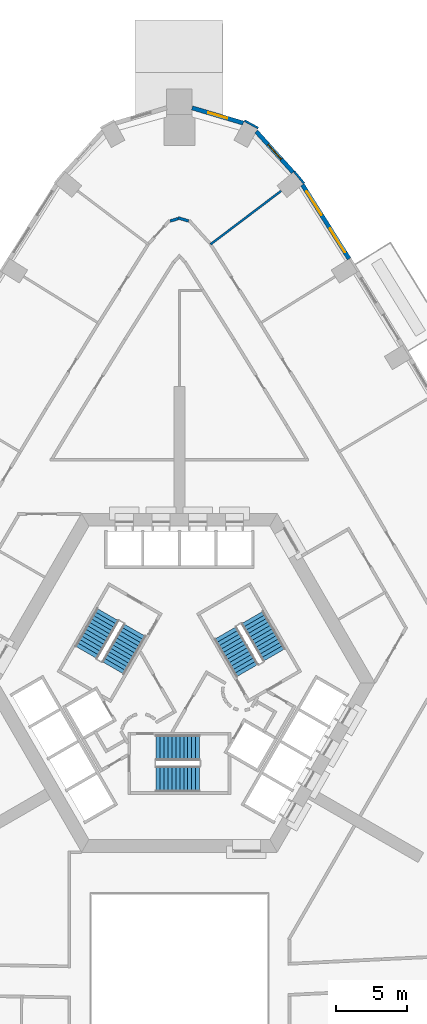
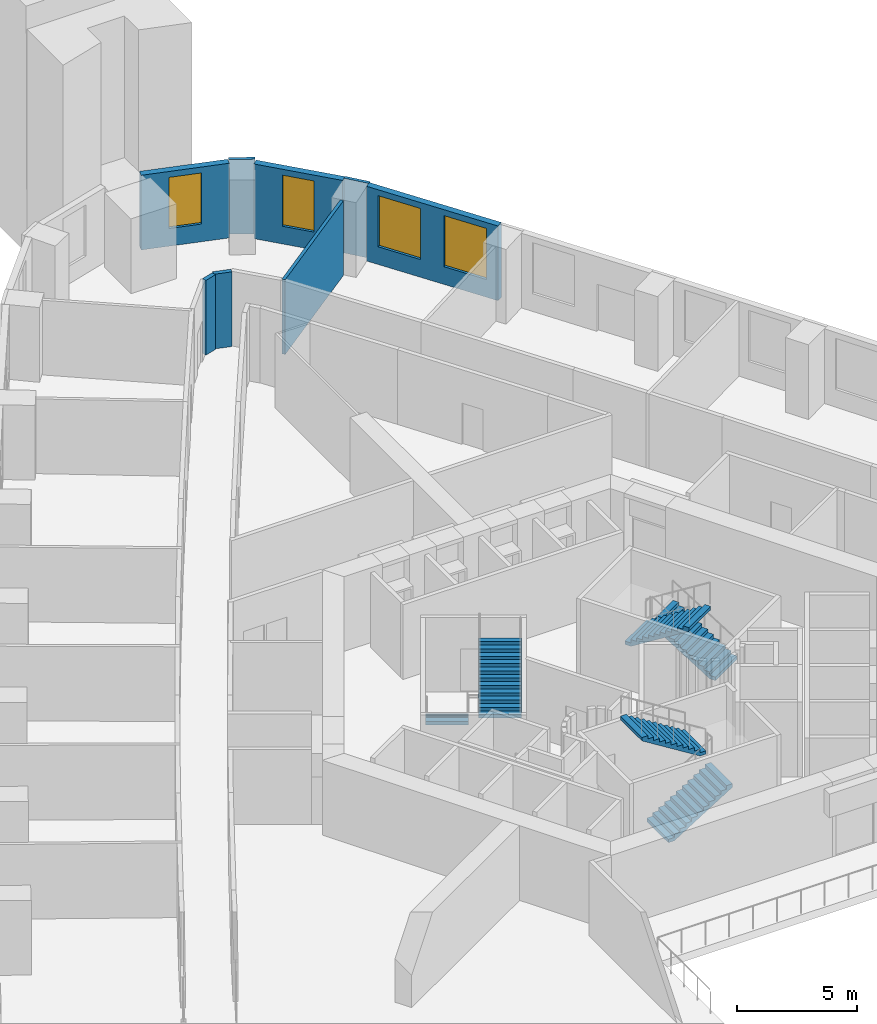
# One storey, part 12 of 15: 8 walls, 6 stair flights, 4 windows, 4 openings, 3 elements without a shape of their own.
"""IFC4 building model written with IfcOpenShell, lengths in metres."""

from ifc_helpers import new_model, si_unit, direction, frame, frame_2d, origin, place, context, subcontext, project, spatial, polyline, rectangle, outline, extrude, material, layer, layer_set, type_object, element, fill, aggregate, save


model = new_model("IFC4")

# Units and contexts
model_context = context("Model", 3, precision=1e-05, world=origin(), true_north=direction((0.0, 1.0)))
body_context = subcontext(model_context, "Body", "Model", "MODEL_VIEW")
ifc_project = project(units=[si_unit("LENGTHUNIT", "METRE"), si_unit("AREAUNIT", "SQUARE_METRE"), si_unit("VOLUMEUNIT", "CUBIC_METRE"), si_unit("PLANEANGLEUNIT", "RADIAN"), si_unit("MASSUNIT", "GRAM", prefix="KILO")], contexts=[model_context])

# Site, building, storey
site_placement = place(None, origin())
site = spatial("IfcSite", under=ifc_project, at=site_placement, CompositionType="ELEMENT")
building_placement = place(site_placement, origin())
building = spatial("IfcBuilding", under=site, at=building_placement, Name="Entoto Arch Interchange Tower", CompositionType="ELEMENT")
storey_placement = place(building_placement, frame((0.0, 0.0, 111.800048828125)))
storey = spatial("IfcBuildingStorey", under=building, at=storey_placement, Name="L24", CompositionType="ELEMENT", Elevation=111.800048828125)

# Walls
ifc_material_1 = material(Name="Gypsum board partition on steel studs", Category="steel")
ifc_layer_1 = layer(ifc_material_1, 0.14990234375)
ifc_layer_set_1 = layer_set([ifc_layer_1], Name="Gypsum board partition on steel studs")
wall_type_1 = type_object("IfcWallType", Name="PARTITION 150", PredefinedType="PARTITIONING", material=ifc_layer_set_1)
wall_1_placement = place(storey_placement, frame((2.2119140625, 33.56494140625, 0.0), z_axis=(0.0, 0.0, 1.0), x_axis=(0.797488074979, 0.603334708322, 0.0)))
element("IfcWall", 1, at=wall_1_placement, inside=storey, type_object=wall_type_1, Name="wall:L24:p125", PredefinedType="PARTITIONING", context=body_context, shape_type="SweptSolid", body=[
    extrude(rectangle(XDim=6.257080078125, YDim=0.14990234375, at=frame_2d((3.12841796875, 0.0))), origin(), (0.0, 0.0, 1.0), 3.800048828125),
])
ifc_layer_2 = layer(ifc_material_1, 0.199951171875)
ifc_layer_set_2 = layer_set([ifc_layer_2], Name="Gypsum board partition on steel studs")
wall_type_2 = type_object("IfcWallType", Name="PARTITION 200", PredefinedType="PARTITIONING", material=ifc_layer_set_2)
wall_2_placement = place(storey_placement, frame((-0.656005859375, 35.212890625, 0.0), z_axis=(0.0, 0.0, 1.0), x_axis=(0.958764375257, 0.284202168777, 0.0)))
element("IfcWall", 2, at=wall_2_placement, inside=storey, type_object=wall_type_2, Name="wall:L24:p054", PredefinedType="PARTITIONING", context=body_context, shape_type="SweptSolid", body=[
    extrude(rectangle(XDim=0.584228515625, YDim=0.199951171875, at=frame_2d((0.2919921875, 0.0))), origin(), (0.0, 0.0, 1.0), 3.800048828125),
])
wall_3_placement = place(storey_placement, frame((-0.095947265625, 35.43603515625, 0.0), z_axis=(0.0, 0.0, 1.0), x_axis=(0.95867870552, -0.284491018456, 0.0)))
element("IfcWall", 3, at=wall_3_placement, inside=storey, type_object=wall_type_2, Name="wall:L24:p055", PredefinedType="PARTITIONING", context=body_context, shape_type="SweptSolid", body=[
    extrude(rectangle(XDim=0.784423828125, YDim=0.199951171875, at=frame_2d((0.39208984375, 0.0))), origin(), (0.0, 0.0, 1.0), 3.800048828125),
])

# Wall, openings, windows
ifc_material_2 = material(Name="Welded tuff (ignimbrite) cladding, warm buff", Category="masonry")
ifc_layer_3 = layer(ifc_material_2, 0.300048828125)
ifc_layer_set_3 = layer_set([ifc_layer_3], Name="Welded tuff (ignimbrite) cladding, warm buff")
wall_type_3 = type_object("IfcWallType", Name="STONE INFILL WALL 300", PredefinedType="STANDARD", material=ifc_layer_set_3)
wall_4_placement = place(storey_placement, frame((12.01806640625, 32.534912109375, 0.0), z_axis=(0.0, 0.0, 1.0), x_axis=(-0.532699467907, 0.846304482377, 0.0)))
wall_4 = element("IfcWall", 4, at=wall_4_placement, inside=storey, type_object=wall_type_3, Name="Facade wall NE-08 L24", PredefinedType="STANDARD", context=body_context, shape_type="SweptSolid", body=[
    extrude(rectangle(XDim=6.202392578125, YDim=0.300048828125, at=frame_2d((3.10107421875, 0.0))), origin(), (0.0, 0.0, 1.0), 3.800048828125),
])
opening_1_placement = place(wall_4_placement, frame((0.551025390625, 0.0, 0.89990234375)))
opening_1 = element("IfcOpeningElement", 5, at=opening_1_placement, cuts=wall_4, Name="Opening WO-C", PredefinedType="OPENING", context=body_context, shape_type="SweptSolid", body=[
    extrude(rectangle(XDim=2.0, YDim=2.60009765625, at=frame_2d((1.0, 1.300048828125))), frame((0.0, 0.16015625, 0.0), z_axis=(0.0, -1.0, 0.0), x_axis=(1.0, 0.0, 0.0)), (0.0, 0.0, 1.0), 0.320068359375),
])
opening_2_placement = place(wall_4_placement, frame((3.652099609375, 0.0, 0.89990234375)))
opening_2 = element("IfcOpeningElement", 6, at=opening_2_placement, cuts=wall_4, Name="Opening WO-C", PredefinedType="OPENING", context=body_context, shape_type="SweptSolid", body=[
    extrude(rectangle(XDim=2.0, YDim=2.60009765625, at=frame_2d((1.0, 1.300048828125))), frame((0.0, 0.16015625, 0.0), z_axis=(0.0, -1.0, 0.0), x_axis=(1.0, 0.0, 0.0)), (0.0, 0.0, 1.0), 0.320068359375),
])
ifc_material_3 = material(Name="Clear glass, low-e double glazed", Category="glass")
window_type_1 = type_object("IfcWindowType", Name="WINDOW WO-C 2000x2600", PartitioningType="DOUBLE_PANEL_VERTICAL", PredefinedType="WINDOW", material=ifc_material_3)
window_1_placement = place(opening_1_placement, origin())
window_1 = element("IfcWindow", 7, at=window_1_placement, inside=storey, type_object=window_type_1, Name="Window WO-C NE-08 L24", OverallHeight=2.60009765625, OverallWidth=2.0, PartitioningType="SINGLE_PANEL", PredefinedType="WINDOW", context=body_context, shape_type="SweptSolid", body=[
    extrude(rectangle(XDim=2.0, YDim=2.60009765625, at=frame_2d((1.0, 1.300048828125))), frame((0.0, 0.030029296875, 0.0), z_axis=(0.0, -1.0, 0.0), x_axis=(1.0, 0.0, 0.0)), (0.0, 0.0, 1.0), 0.06005859375),
])
fill(opening_1, window_1)
window_2_placement = place(opening_2_placement, origin())
window_2 = element("IfcWindow", 8, at=window_2_placement, inside=storey, type_object=window_type_1, Name="Window WO-C NE-08 L24", OverallHeight=2.60009765625, OverallWidth=2.0, PartitioningType="SINGLE_PANEL", PredefinedType="WINDOW", context=body_context, shape_type="SweptSolid", body=[
    extrude(rectangle(XDim=2.0, YDim=2.60009765625, at=frame_2d((1.0, 1.300048828125))), frame((0.0, 0.030029296875, 0.0), z_axis=(0.0, -1.0, 0.0), x_axis=(1.0, 0.0, 0.0)), (0.0, 0.0, 1.0), 0.06005859375),
])
fill(opening_2, window_2)

# Wall, opening, window
wall_5_placement = place(storey_placement, frame((8.052001953125, 38.660888671875, 0.0), z_axis=(0.0, 0.0, 1.0), x_axis=(-0.66966434159, 0.742663900834, 0.0)))
wall_5 = element("IfcWall", 9, at=wall_5_placement, inside=storey, type_object=wall_type_3, Name="Facade wall N-01 L24", PredefinedType="STANDARD", context=body_context, shape_type="SweptSolid", body=[
    extrude(rectangle(XDim=3.892822265625, YDim=0.300048828125, at=frame_2d((1.9462890625, 0.0))), origin(), (0.0, 0.0, 1.0), 3.800048828125),
])
opening_3_placement = place(wall_5_placement, frame((1.24609375, 0.0, 0.89990234375)))
opening_3 = element("IfcOpeningElement", 10, at=opening_3_placement, cuts=wall_5, Name="Opening WO-B", PredefinedType="OPENING", context=body_context, shape_type="SweptSolid", body=[
    extrude(rectangle(XDim=1.39990234375, YDim=2.60009765625, at=frame_2d((0.699951171875, 1.300048828125))), frame((0.0, 0.16015625, 0.0), z_axis=(0.0, -1.0, 0.0), x_axis=(1.0, 0.0, 0.0)), (0.0, 0.0, 1.0), 0.320068359375),
])
window_type_2 = type_object("IfcWindowType", Name="WINDOW WO-B 1400x2600", PartitioningType="DOUBLE_PANEL_VERTICAL", PredefinedType="WINDOW", material=ifc_material_3)
window_3_placement = place(opening_3_placement, origin())
window_3 = element("IfcWindow", 11, at=window_3_placement, inside=storey, type_object=window_type_2, Name="Window WO-B N-01 L24", OverallHeight=2.60009765625, OverallWidth=1.39990234375, PartitioningType="SINGLE_PANEL", PredefinedType="WINDOW", context=body_context, shape_type="SweptSolid", body=[
    extrude(rectangle(XDim=1.39990234375, YDim=2.60009765625, at=frame_2d((0.699951171875, 1.300048828125))), frame((0.0, 0.030029296875, 0.0), z_axis=(0.0, -1.0, 0.0), x_axis=(1.0, 0.0, 0.0)), (0.0, 0.0, 1.0), 0.06005859375),
])
fill(opening_3, window_3)

wall_6_placement = place(storey_placement, frame((4.52001953125, 42.14892578125, 0.0), z_axis=(0.0, 0.0, 1.0), x_axis=(-0.958563070772, 0.284880394819, 0.0)))
wall_6 = element("IfcWall", 12, at=wall_6_placement, inside=storey, type_object=wall_type_3, Name="Facade wall N-02 L24", PredefinedType="STANDARD", context=body_context, shape_type="SweptSolid", body=[
    extrude(rectangle(XDim=3.777587890625, YDim=0.300048828125, at=frame_2d((1.888671875, 0.0))), origin(), (0.0, 0.0, 1.0), 3.800048828125),
])
opening_4_placement = place(wall_6_placement, frame((1.18896484375, 0.0, 0.89990234375)))
opening_4 = element("IfcOpeningElement", 13, at=opening_4_placement, cuts=wall_6, Name="Opening WO-B", PredefinedType="OPENING", context=body_context, shape_type="SweptSolid", body=[
    extrude(rectangle(XDim=1.39990234375, YDim=2.60009765625, at=frame_2d((0.699951171875, 1.300048828125))), frame((0.0, 0.16015625, 0.0), z_axis=(0.0, -1.0, 0.0), x_axis=(1.0, 0.0, 0.0)), (0.0, 0.0, 1.0), 0.320068359375),
])
window_4_placement = place(opening_4_placement, origin())
window_4 = element("IfcWindow", 14, at=window_4_placement, inside=storey, type_object=window_type_2, Name="Window WO-B N-02 L24", OverallHeight=2.60009765625, OverallWidth=1.39990234375, PartitioningType="SINGLE_PANEL", PredefinedType="WINDOW", context=body_context, shape_type="SweptSolid", body=[
    extrude(rectangle(XDim=1.39990234375, YDim=2.60009765625, at=frame_2d((0.699951171875, 1.300048828125))), frame((0.0, 0.030029296875, 0.0), z_axis=(0.0, -1.0, 0.0), x_axis=(1.0, 0.0, 0.0)), (0.0, 0.0, 1.0), 0.06005859375),
])
fill(opening_4, window_4)

# Walls
ifc_layer_4 = layer(ifc_material_2, 0.14990234375)
ifc_layer_set_4 = layer_set([ifc_layer_4], Name="Welded tuff (ignimbrite) cladding, warm buff")
wall_type_4 = type_object("IfcWallType", Name="STONE PIER CLADDING 150", PredefinedType="STANDARD", material=ifc_layer_set_4)
wall_7_placement = place(storey_placement, frame((5.5791015625, 41.7939453125, 0.0), z_axis=(0.0, 0.0, 1.0), x_axis=(-0.877463015547, 0.479644301902, 0.0)))
element("IfcWall", 15, at=wall_7_placement, inside=storey, type_object=wall_type_4, Name="Stone pier N1 L24", PredefinedType="STANDARD", context=body_context, shape_type="SweptSolid", body=[
    extrude(rectangle(XDim=1.10107421875, YDim=0.14990234375, at=frame_2d((0.550537109375, 0.0))), origin(), (0.0, 0.0, 1.0), 3.800048828125),
])
wall_8_placement = place(storey_placement, frame((8.827880859375, 37.8779296875, 0.0), z_axis=(0.0, 0.0, 1.0), x_axis=(-0.638435351024, 0.769675452748, 0.0)))
element("IfcWall", 16, at=wall_8_placement, inside=storey, type_object=wall_type_4, Name="Stone pier NE09 L24", PredefinedType="STANDARD", context=body_context, shape_type="SweptSolid", body=[
    extrude(rectangle(XDim=1.099365234375, YDim=0.14990234375, at=frame_2d((0.5498046875, 0.0))), origin(), (0.0, 0.0, 1.0), 3.800048828125),
])

# Stair, stair flights
ifc_material_4 = material(Name="Concrete C40/50", Category="concrete")
stair_type = type_object("IfcStairType", Name="EXIT STAIR RC 1800", PredefinedType="HALF_TURN_STAIR", material=ifc_material_4)
stair_1_placement = place(storey_placement, origin())
stair_1 = element("IfcStair", 17, at=stair_1_placement, inside=storey, type_object=stair_type, Name="L24 Exit stair S", PredefinedType="HALF_TURN_STAIR")
stair_flight_type = type_object("IfcStairFlightType", Name="EXIT STAIR FLIGHT RC 1800", PredefinedType="STRAIGHT", material=ifc_material_4)
stair_flight_1_placement = place(storey_placement, frame((-1.64990234375, -4.300048828125, 0.0), z_axis=(0.0, 0.0, 1.0), x_axis=(1.0, 0.0, 0.0)))
stair_flight_1 = element("IfcStairFlight", 18, at=stair_flight_1_placement, type_object=stair_flight_type, Name="ST-S flight 1", NumberOfRisers=12, NumberOfTreads=11, PredefinedType="STRAIGHT", RiserHeight=0.175, TreadLength=0.28, context=body_context, shape_type="SweptSolid", body=[
    extrude(outline(polyline([(-0.0029296875, 0.0), (-0.0029296875, 0.175048828125), (0.280029296875, 0.175048828125), (0.280029296875, 0.35009765625), (0.56005859375, 0.35009765625), (0.56005859375, 0.52490234375), (0.840087890625, 0.52490234375), (0.840087890625, 0.699951171875), (1.1201171875, 0.699951171875), (1.1201171875, 0.875), (1.39990234375, 0.875), (1.39990234375, 1.050048828125), (1.679931640625, 1.050048828125), (1.679931640625, 1.22509765625), (1.9599609375, 1.22509765625), (1.9599609375, 1.39990234375), (2.239990234375, 1.39990234375), (2.239990234375, 1.574951171875), (2.52001953125, 1.574951171875), (2.52001953125, 1.75), (2.800048828125, 1.75), (2.800048828125, 1.925048828125), (3.080078125, 1.925048828125), (3.0830078125, 1.925048828125), (3.0830078125, 1.75), (0.28271484375, 0.0), (-0.0029296875, 0.0)])), frame((0.0, 0.89990234375, 0.0), z_axis=(0.0, -1.0, 0.0), x_axis=(1.0, 0.0, 0.0)), (0.0, 0.0, 1.0), 1.800048828125),
])
stair_flight_2_placement = place(storey_placement, frame((1.429931640625, -2.10009765625, 2.099853515625), z_axis=(0.0, 0.0, 1.0), x_axis=(-1.0, 0.0, 0.0)))
stair_flight_2 = element("IfcStairFlight", 19, at=stair_flight_2_placement, type_object=stair_flight_type, Name="ST-S flight 2", NumberOfRisers=12, NumberOfTreads=11, PredefinedType="STRAIGHT", RiserHeight=0.175, TreadLength=0.28, context=body_context, shape_type="SweptSolid", body=[
    extrude(outline(polyline([(-0.0029296875, 0.0), (-0.0029296875, 0.175048828125), (0.280029296875, 0.175048828125), (0.280029296875, 0.35009765625), (0.56005859375, 0.35009765625), (0.56005859375, 0.52490234375), (0.840087890625, 0.52490234375), (0.840087890625, 0.699951171875), (1.1201171875, 0.699951171875), (1.1201171875, 0.875), (1.39990234375, 0.875), (1.39990234375, 1.050048828125), (1.679931640625, 1.050048828125), (1.679931640625, 1.22509765625), (1.9599609375, 1.22509765625), (1.9599609375, 1.39990234375), (2.239990234375, 1.39990234375), (2.239990234375, 1.574951171875), (2.52001953125, 1.574951171875), (2.52001953125, 1.75), (2.800048828125, 1.75), (2.800048828125, 1.925048828125), (3.080078125, 1.925048828125), (3.0830078125, 1.925048828125), (3.0830078125, 1.75), (0.28271484375, 0.0), (-0.0029296875, 0.0)])), frame((0.0, 0.89990234375, 0.0), z_axis=(0.0, -1.0, 0.0), x_axis=(1.0, 0.0, 0.0)), (0.0, 0.0, 1.0), 1.800048828125),
])
aggregate(stair_1, [stair_flight_1, stair_flight_2])

stair_2_placement = place(storey_placement, origin())
stair_2 = element("IfcStair", 20, at=stair_2_placement, inside=storey, type_object=stair_type, Name="L24 Exit stair NE", PredefinedType="HALF_TURN_STAIR")
stair_flight_3_placement = place(storey_placement, frame((6.7138671875, 4.470947265625, 0.0), z_axis=(0.0, 0.0, 1.0), x_axis=(-0.5, 0.866025403784, 0.0)))
stair_flight_3 = element("IfcStairFlight", 21, at=stair_flight_3_placement, type_object=stair_flight_type, Name="ST-NE flight 1", NumberOfRisers=12, NumberOfTreads=11, PredefinedType="STRAIGHT", RiserHeight=0.175, TreadLength=0.28, context=body_context, shape_type="SweptSolid", body=[
    extrude(outline(polyline([(-0.0029296875, 0.0), (-0.0029296875, 0.175048828125), (0.280029296875, 0.175048828125), (0.280029296875, 0.35009765625), (0.56005859375, 0.35009765625), (0.56005859375, 0.52490234375), (0.840087890625, 0.52490234375), (0.840087890625, 0.699951171875), (1.1201171875, 0.699951171875), (1.1201171875, 0.875), (1.39990234375, 0.875), (1.39990234375, 1.050048828125), (1.679931640625, 1.050048828125), (1.679931640625, 1.22509765625), (1.9599609375, 1.22509765625), (1.9599609375, 1.39990234375), (2.239990234375, 1.39990234375), (2.239990234375, 1.574951171875), (2.52001953125, 1.574951171875), (2.52001953125, 1.75), (2.800048828125, 1.75), (2.800048828125, 1.925048828125), (3.080078125, 1.925048828125), (3.0830078125, 1.925048828125), (3.0830078125, 1.75), (0.28271484375, 0.0), (-0.0029296875, 0.0)])), frame((0.0, 0.89990234375, 0.0), z_axis=(0.0, -1.0, 0.0), x_axis=(1.0, 0.0, 0.0)), (0.0, 0.0, 1.0), 1.800048828125),
])
stair_flight_4_placement = place(storey_placement, frame((3.268798828125, 6.038330078125, 2.099853515625), z_axis=(0.0, 0.0, 1.0), x_axis=(0.5, -0.866025403784, 0.0)))
stair_flight_4 = element("IfcStairFlight", 22, at=stair_flight_4_placement, type_object=stair_flight_type, Name="ST-NE flight 2", NumberOfRisers=12, NumberOfTreads=11, PredefinedType="STRAIGHT", RiserHeight=0.175, TreadLength=0.28, context=body_context, shape_type="SweptSolid", body=[
    extrude(outline(polyline([(-0.0029296875, 0.0), (-0.0029296875, 0.175048828125), (0.280029296875, 0.175048828125), (0.280029296875, 0.35009765625), (0.56005859375, 0.35009765625), (0.56005859375, 0.52490234375), (0.840087890625, 0.52490234375), (0.840087890625, 0.699951171875), (1.1201171875, 0.699951171875), (1.1201171875, 0.875), (1.39990234375, 0.875), (1.39990234375, 1.050048828125), (1.679931640625, 1.050048828125), (1.679931640625, 1.22509765625), (1.9599609375, 1.22509765625), (1.9599609375, 1.39990234375), (2.239990234375, 1.39990234375), (2.239990234375, 1.574951171875), (2.52001953125, 1.574951171875), (2.52001953125, 1.75), (2.800048828125, 1.75), (2.800048828125, 1.925048828125), (3.080078125, 1.925048828125), (3.0830078125, 1.925048828125), (3.0830078125, 1.75), (0.28271484375, 0.0), (-0.0029296875, 0.0)])), frame((0.0, 0.89990234375, 0.0), z_axis=(0.0, -1.0, 0.0), x_axis=(1.0, 0.0, 0.0)), (0.0, 0.0, 1.0), 1.800048828125),
])
aggregate(stair_2, [stair_flight_3, stair_flight_4])

stair_3_placement = place(storey_placement, origin())
stair_3 = element("IfcStair", 23, at=stair_3_placement, inside=storey, type_object=stair_type, Name="L24 Exit stair NW", PredefinedType="HALF_TURN_STAIR")
stair_flight_5_placement = place(storey_placement, frame((-5.06396484375, 7.328857421875, 0.0), z_axis=(0.0, 0.0, 1.0), x_axis=(-0.5, -0.866025403784, 0.0)))
stair_flight_5 = element("IfcStairFlight", 24, at=stair_flight_5_placement, type_object=stair_flight_type, Name="ST-NW flight 1", NumberOfRisers=12, NumberOfTreads=11, PredefinedType="STRAIGHT", RiserHeight=0.175, TreadLength=0.28, context=body_context, shape_type="SweptSolid", body=[
    extrude(outline(polyline([(-0.0029296875, 0.0), (-0.0029296875, 0.175048828125), (0.280029296875, 0.175048828125), (0.280029296875, 0.35009765625), (0.56005859375, 0.35009765625), (0.56005859375, 0.52490234375), (0.840087890625, 0.52490234375), (0.840087890625, 0.699951171875), (1.1201171875, 0.699951171875), (1.1201171875, 0.875), (1.39990234375, 0.875), (1.39990234375, 1.050048828125), (1.679931640625, 1.050048828125), (1.679931640625, 1.22509765625), (1.9599609375, 1.22509765625), (1.9599609375, 1.39990234375), (2.239990234375, 1.39990234375), (2.239990234375, 1.574951171875), (2.52001953125, 1.574951171875), (2.52001953125, 1.75), (2.800048828125, 1.75), (2.800048828125, 1.925048828125), (3.080078125, 1.925048828125), (3.0830078125, 1.925048828125), (3.0830078125, 1.75), (0.28271484375, 0.0), (-0.0029296875, 0.0)])), frame((0.0, 0.89990234375, 0.0), z_axis=(0.0, -1.0, 0.0), x_axis=(1.0, 0.0, 0.0)), (0.0, 0.0, 1.0), 1.800048828125),
])
stair_flight_6_placement = place(storey_placement, frame((-4.69873046875, 3.5615234375, 2.099853515625), z_axis=(0.0, 0.0, 1.0), x_axis=(0.5, 0.866025403784, 0.0)))
stair_flight_6 = element("IfcStairFlight", 25, at=stair_flight_6_placement, type_object=stair_flight_type, Name="ST-NW flight 2", NumberOfRisers=12, NumberOfTreads=11, PredefinedType="STRAIGHT", RiserHeight=0.175, TreadLength=0.28, context=body_context, shape_type="SweptSolid", body=[
    extrude(outline(polyline([(-0.0029296875, 0.0), (-0.0029296875, 0.175048828125), (0.280029296875, 0.175048828125), (0.280029296875, 0.35009765625), (0.56005859375, 0.35009765625), (0.56005859375, 0.52490234375), (0.840087890625, 0.52490234375), (0.840087890625, 0.699951171875), (1.1201171875, 0.699951171875), (1.1201171875, 0.875), (1.39990234375, 0.875), (1.39990234375, 1.050048828125), (1.679931640625, 1.050048828125), (1.679931640625, 1.22509765625), (1.9599609375, 1.22509765625), (1.9599609375, 1.39990234375), (2.239990234375, 1.39990234375), (2.239990234375, 1.574951171875), (2.52001953125, 1.574951171875), (2.52001953125, 1.75), (2.800048828125, 1.75), (2.800048828125, 1.925048828125), (3.080078125, 1.925048828125), (3.0830078125, 1.925048828125), (3.0830078125, 1.75), (0.28271484375, 0.0), (-0.0029296875, 0.0)])), frame((0.0, 0.89990234375, 0.0), z_axis=(0.0, -1.0, 0.0), x_axis=(1.0, 0.0, 0.0)), (0.0, 0.0, 1.0), 1.800048828125),
])
aggregate(stair_3, [stair_flight_5, stair_flight_6])

save(model, "model.ifc")
